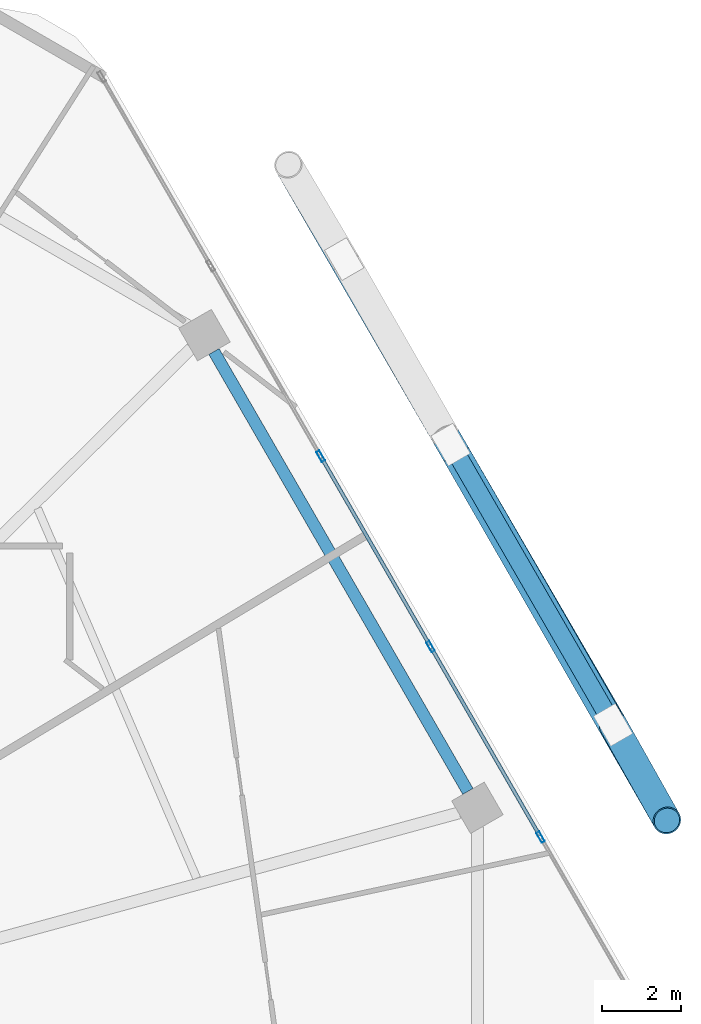
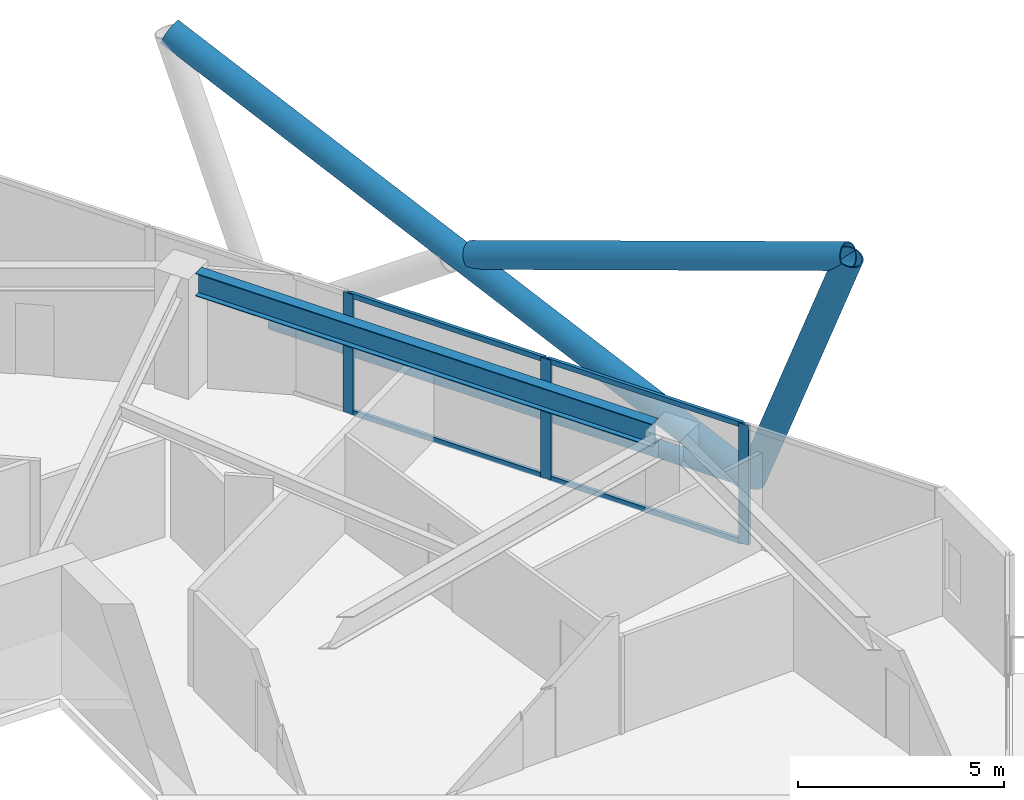
# One storey, part 16 of 28: 11 members, 1 beam, 1 element without a shape of its own.
"""IFC4 building model written with IfcOpenShell, lengths in metres."""

from ifc_helpers import new_model, si_unit, direction, frame, origin, origin_2d, place, context, subcontext, project, spatial, hollow_rectangle, hollow_circle, i_section, extrude, material, material_profile, profile_set, type_object, element, aggregate, save


model = new_model("IFC4")

# Units and contexts
model_context = context("Model", 3, precision=1e-05, world=origin(), true_north=direction((0.0, 1.0)))
body_context = subcontext(model_context, "Body", "Model", "MODEL_VIEW")
ifc_project = project(units=[si_unit("LENGTHUNIT", "METRE"), si_unit("AREAUNIT", "SQUARE_METRE"), si_unit("VOLUMEUNIT", "CUBIC_METRE"), si_unit("PLANEANGLEUNIT", "RADIAN"), si_unit("MASSUNIT", "GRAM", prefix="KILO")], contexts=[model_context])

# Site, building, storey
site_placement = place(None, origin())
site = spatial("IfcSite", under=ifc_project, at=site_placement, CompositionType="ELEMENT")
building_placement = place(site_placement, origin())
building = spatial("IfcBuilding", under=site, at=building_placement, Name="Zuhravey Tower", CompositionType="ELEMENT")
storey_placement = place(building_placement, frame((0.0, 0.0, 199.800048828125)))
storey = spatial("IfcBuildingStorey", under=building, at=storey_placement, Name="L50", CompositionType="ELEMENT", Elevation=199.800048828125)

# Curtain wall, members
ifc_material_1 = material(Name="Thermally broken anodised aluminium", Category="aluminium")
curtain_wall_type = type_object("IfcCurtainWallType", Name="Zone 1-2 Residential Curtain Wall CW3", PredefinedType="NOTDEFINED", material=ifc_material_1)
curtain_wall_placement = place(storey_placement, origin())
curtain_wall = element("IfcCurtainWall", 1, at=curtain_wall_placement, inside=storey, type_object=curtain_wall_type, Name="L50 CW3 CW-L50-F1-1", PredefinedType="NOTDEFINED")
ifc_material_2 = material(Name="Anodised aluminium", Category="aluminium")
ifc_material_profile_1 = material_profile(ifc_material_2, hollow_rectangle(XDim=0.090087890625, YDim=0.284912109375, WallThickness=0.0048828125, at=origin_2d()), Name="ALU-RHS-90x285x5")
ifc_profile_set_1 = profile_set([ifc_material_profile_1], Name="Anodised aluminium")
member_type_1 = type_object("IfcMemberType", Name="Curtain-Wall Mullion 90x180", PredefinedType="MULLION", material=ifc_profile_set_1)
member_1_placement = place(storey_placement, frame((58.155029296875, 47.992431640625, 0.0), z_axis=(0.0, 0.0, 1.0), x_axis=(0.866025138215, 0.500000459979, 0.0)))
member_1 = element("IfcMember", 2, at=member_1_placement, type_object=member_type_1, Name="CW3 mullion 3", PredefinedType="MULLION", context=body_context, shape_type="SweptSolid", body=[
    extrude(hollow_rectangle(XDim=0.090087890625, YDim=0.284912109375, WallThickness=0.0048828125, at=origin_2d()), origin(), (0.0, 0.0, 1.0), 3.550048828125),
])
member_2_placement = place(storey_placement, frame((60.92724609375, 43.190673828125, 0.0), z_axis=(0.0, 0.0, 1.0), x_axis=(0.866025138215, 0.500000459979, 0.0)))
member_2 = element("IfcMember", 3, at=member_2_placement, type_object=member_type_1, Name="CW3 mullion 4", PredefinedType="MULLION", context=body_context, shape_type="SweptSolid", body=[
    extrude(hollow_rectangle(XDim=0.090087890625, YDim=0.284912109375, WallThickness=0.0048828125, at=origin_2d()), origin(), (0.0, 0.0, 1.0), 3.550048828125),
])
member_3_placement = place(storey_placement, frame((63.699462890625, 38.38916015625, 0.0), z_axis=(0.0, 0.0, 1.0), x_axis=(0.866025138215, 0.500000459979, 0.0)))
member_3 = element("IfcMember", 4, at=member_3_placement, type_object=member_type_1, Name="CW3 mullion 5", PredefinedType="MULLION", context=body_context, shape_type="SweptSolid", body=[
    extrude(hollow_rectangle(XDim=0.090087890625, YDim=0.284912109375, WallThickness=0.0048828125, at=origin_2d()), origin(), (0.0, 0.0, 1.0), 3.550048828125),
])
ifc_material_profile_2 = material_profile(ifc_material_2, hollow_rectangle(XDim=0.090087890625, YDim=0.14990234375, WallThickness=0.0048828125, at=origin_2d()), Name="ALU-RHS-90x150x5")
ifc_profile_set_2 = profile_set([ifc_material_profile_2], Name="Anodised aluminium")
member_type_2 = type_object("IfcMemberType", Name="Curtain-Wall Transom 90x150", PredefinedType="USERDEFINED", material=ifc_profile_set_2)
member_4_placement = place(storey_placement, frame((58.177734375, 47.953369140625, 0.044921875), z_axis=(0.499980763544, -0.866036509673, 0.0), x_axis=(0.866036509673, 0.499980763544, 0.0)))
member_4 = element("IfcMember", 5, at=member_4_placement, type_object=member_type_2, Name="CW3 transom 3.1", ObjectType="TRANSOM", PredefinedType="USERDEFINED", context=body_context, shape_type="SweptSolid", body=[
    extrude(hollow_rectangle(XDim=0.090087890625, YDim=0.14990234375, WallThickness=0.0048828125, at=origin_2d()), origin(), (0.0, 0.0, 1.0), 5.454345703125),
])
member_5_placement = place(storey_placement, frame((58.177734375, 47.953369140625, 3.5048828125), z_axis=(0.499980763544, -0.866036509673, 0.0), x_axis=(0.866036509673, 0.499980763544, 0.0)))
member_5 = element("IfcMember", 6, at=member_5_placement, type_object=member_type_2, Name="CW3 transom 3.2", ObjectType="TRANSOM", PredefinedType="USERDEFINED", context=body_context, shape_type="SweptSolid", body=[
    extrude(hollow_rectangle(XDim=0.090087890625, YDim=0.14990234375, WallThickness=0.0048828125, at=origin_2d()), origin(), (0.0, 0.0, 1.0), 5.454345703125),
])
member_6_placement = place(storey_placement, frame((60.949951171875, 43.15185546875, 0.044921875), z_axis=(0.49996138257, -0.86604769842, 0.0), x_axis=(0.86604769842, 0.49996138257, 0.0)))
member_6 = element("IfcMember", 7, at=member_6_placement, type_object=member_type_2, Name="CW3 transom 4.1", ObjectType="TRANSOM", PredefinedType="USERDEFINED", context=body_context, shape_type="SweptSolid", body=[
    extrude(hollow_rectangle(XDim=0.090087890625, YDim=0.14990234375, WallThickness=0.0048828125, at=origin_2d()), origin(), (0.0, 0.0, 1.0), 5.45458984375),
])
member_7_placement = place(storey_placement, frame((60.949951171875, 43.15185546875, 3.5048828125), z_axis=(0.49996138257, -0.86604769842, 0.0), x_axis=(0.86604769842, 0.49996138257, 0.0)))
member_7 = element("IfcMember", 8, at=member_7_placement, type_object=member_type_2, Name="CW3 transom 4.2", ObjectType="TRANSOM", PredefinedType="USERDEFINED", context=body_context, shape_type="SweptSolid", body=[
    extrude(hollow_rectangle(XDim=0.090087890625, YDim=0.14990234375, WallThickness=0.0048828125, at=origin_2d()), origin(), (0.0, 0.0, 1.0), 5.45458984375),
])
aggregate(curtain_wall, [member_1, member_2, member_3, member_4, member_5, member_6, member_7])

# Members
ifc_material_3 = material(Name="Steel SM355", Category="steel")
ifc_material_profile_3 = material_profile(ifc_material_3, hollow_circle(Radius=0.228515625, WallThickness=0.02197265625, at=origin_2d()), Name="CHS-457.2x22")
ifc_profile_set_3 = profile_set([ifc_material_profile_3], Name="Steel SM355")
member_type_3 = type_object("IfcMemberType", Name="Exoskeleton Ring Tie CHS457x22", PredefinedType="CHORD", material=ifc_profile_set_3)
member_8_placement = place(storey_placement, frame((65.459716796875, 41.34033203125, -0.464111328125), z_axis=(-0.499996131841, 0.866027637056, 0.0), x_axis=(-0.866027637056, -0.499996131841, 0.0)))
element("IfcMember", 9, at=member_8_placement, inside=storey, type_object=member_type_3, Name="L50 Exoskeleton Face 1 Tie EXR1", PredefinedType="CHORD", context=body_context, shape_type="SweptSolid", body=[
    extrude(hollow_circle(Radius=0.228515625, WallThickness=0.02197265625, at=origin_2d()), origin(), (0.0, 0.0, 1.0), 13.28173828125),
])
ifc_material_4 = material(Name="Steel SM460", Category="steel")
ifc_material_profile_4 = material_profile(ifc_material_4, hollow_circle(Radius=0.355712890625, WallThickness=0.031982421875, at=origin_2d()), Name="CHS-711.2x32")
ifc_profile_set_4 = profile_set([ifc_material_profile_4], Name="Steel SM460")
member_type_4 = type_object("IfcMemberType", Name="Exoskeleton Zone 2 Diagrid CHS711x32", PredefinedType="BRACE", material=ifc_profile_set_4)
member_9_placement = place(storey_placement, frame((65.533447265625, 41.212646484375, -0.444091796875), z_axis=(0.16821244009, -0.298778056347, 0.939380779048), x_axis=(0.871388810392, 0.490593050424, 0.0)))
element("IfcMember", 10, at=member_9_placement, inside=storey, type_object=member_type_4, Name="L50 Face 1 Diagrid Brace 1", PredefinedType="BRACE", context=body_context, shape_type="SweptSolid", body=[
    extrude(hollow_circle(Radius=0.355712890625, WallThickness=0.031982421875, at=origin_2d()), origin(), (0.0, 0.0, 1.0), 8.0478515625),
])
member_10_placement = place(storey_placement, frame((65.50830078125, 41.25634765625, -0.444091796875), z_axis=(-0.454785576213, 0.78437094183, 0.421820228629), x_axis=(-0.865102775401, -0.501594645101, 0.0)))
element("IfcMember", 11, at=member_10_placement, inside=storey, type_object=member_type_4, Name="L50 Face 1 Diagrid Brace 2", PredefinedType="BRACE", context=body_context, shape_type="SweptSolid", body=[
    extrude(hollow_circle(Radius=0.355712890625, WallThickness=0.031982421875, at=origin_2d()), origin(), (0.0, 0.0, 1.0), 17.92236328125),
])
member_11_placement = place(storey_placement, frame((61.595703125, 48.00244140625, 3.44921875), z_axis=(0.471193471238, -0.818746927589, 0.328070390656), x_axis=(0.866716863443, 0.498800439678, 0.0)))
element("IfcMember", 12, at=member_11_placement, inside=storey, type_object=member_type_4, Name="L50 Face 1 Split Diagrid Brace 3B", PredefinedType="BRACE", context=body_context, shape_type="SweptSolid", body=[
    extrude(hollow_circle(Radius=0.355712890625, WallThickness=0.031982421875, at=origin_2d()), origin(), (0.0, 0.0, 1.0), 11.190185546875),
])

# Beam
ifc_material_profile_5 = material_profile(ifc_material_3, i_section(OverallWidth=0.300048828125, OverallDepth=0.679931640625, WebThickness=0.012939453125, FlangeThickness=0.02197265625, at=origin_2d()), Name="H-680x300x13x22")
ifc_profile_set_5 = profile_set([ifc_material_profile_5], Name="Steel SM355")
beam_type = type_object("IfcBeamType", Name="Perimeter Ring Beam H680x300", PredefinedType="BEAM", material=ifc_profile_set_5)
beam_placement = place(storey_placement, frame((61.86865234375, 39.54052734375, 3.2099609375), z_axis=(-0.500003505699, 0.866023379758, 0.0), x_axis=(-0.866023379758, -0.500003505699, 0.0)))
element("IfcBeam", 13, at=beam_placement, inside=storey, type_object=beam_type, Name="L50 PB2 BM-L50-PB-01", PredefinedType="BEAM", context=body_context, shape_type="SweptSolid", body=[
    extrude(i_section(OverallWidth=0.300048828125, OverallDepth=0.679931640625, WebThickness=0.012939453125, FlangeThickness=0.02197265625, at=origin_2d()), origin(), (0.0, 0.0, 1.0), 12.80810546875),
])

save(model, "model.ifc")
